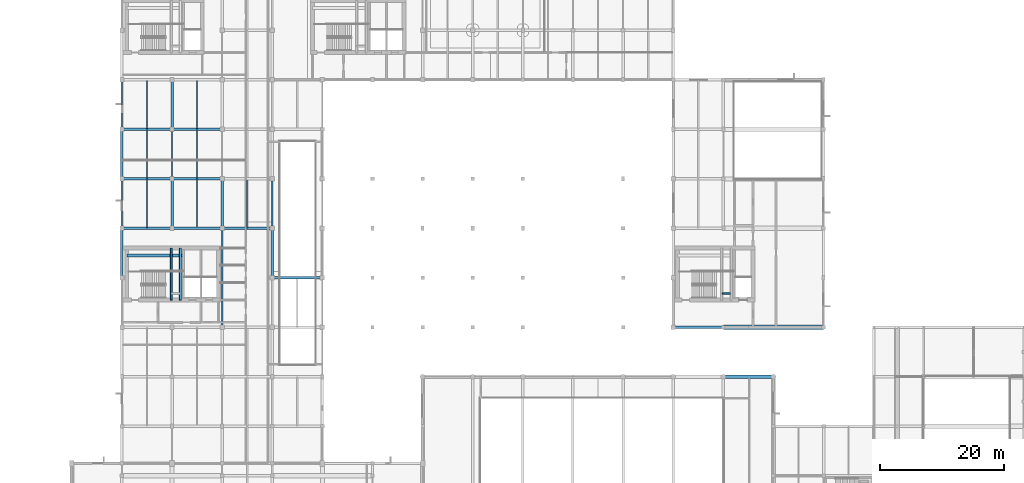
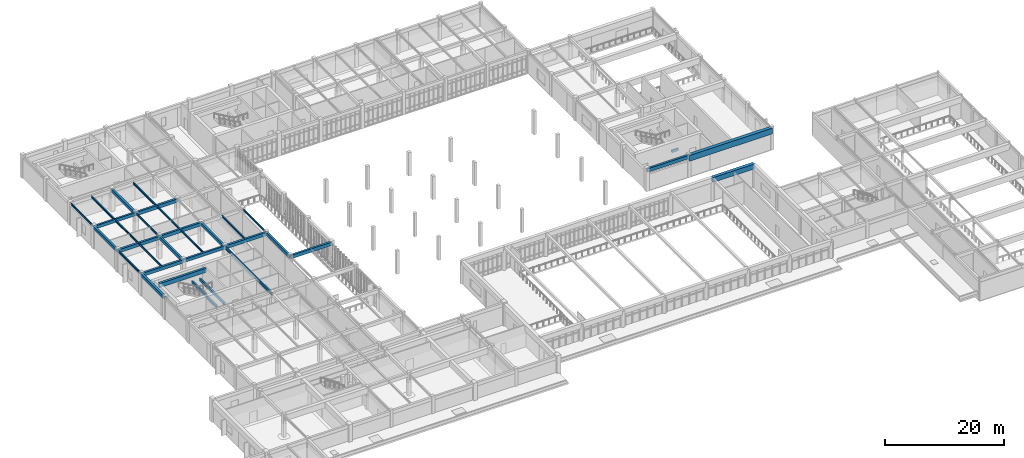
# One storey, part 11 of 61: 33 beams.
"""IFC4 building model written with IfcOpenShell, lengths in metres."""

import ifcopenshell
import ifcopenshell.guid

model = None  # the IFC model being written
_history = None  # IfcOwnerHistory: only IFC2X3 demands one
_inside = {}  # id of a spatial element -> (the spatial element, [elements in it])
_under = {}  # id of a project, library or spatial element -> (it, [spatial elements below it])
_declared = {}  # id of a project -> (the project, [libraries it declares])
_typed = {}  # id of a type object -> (the type object, [elements of that type])
_made_of = {}  # id of a material, layer set ... -> (it, [elements and type objects made of it])


def new_model(schema):
    """Start an empty IFC model of exactly this schema.

    Asked for "IFC4X3", IfcOpenShell would pick the latest addendum, in which some entities
    have other attributes; the version numbers below select the first issue.
    IFC2X3 requires an IfcOwnerHistory on every rooted entity: one is made here for all.
    """
    global model, _history
    if schema == "IFC4X3":
        model = ifcopenshell.file(schema_version=(4, 3, 0, 0))
    else:
        model = ifcopenshell.file(schema=schema)
    _inside.clear()
    _under.clear()
    _declared.clear()
    _typed.clear()
    _made_of.clear()
    _history = None
    if model.schema == "IFC2X3":
        org = make("IfcOrganization", Name="unknown")
        user = make(
            "IfcPersonAndOrganization",
            ThePerson=make("IfcPerson", FamilyName="unknown"),
            TheOrganization=org,
        )
        app = make(
            "IfcApplication",
            ApplicationDeveloper=org,
            Version="unknown",
            ApplicationFullName="unknown",
            ApplicationIdentifier="unknown",
        )
        _history = make(
            "IfcOwnerHistory",
            OwningUser=user,
            OwningApplication=app,
            ChangeAction="ADDED",
            CreationDate=0,
        )
    return model


def make(cls, **values):
    """One entity of the class cls with the attributes given. An attribute that is None is left unset."""
    return model.create_entity(
        cls, **{name: value for name, value in values.items() if value is not None}
    )


def rooted(cls, **values):
    """An entity with a GlobalId (a new one), such as an element, a storey or a relation."""
    return make(cls, GlobalId=ifcopenshell.guid.new(), OwnerHistory=_history, **values)


def si_unit(unit_type, name, prefix=None):
    """IfcSIUnit, for example si_unit("LENGTHUNIT", "METRE", prefix="MILLI")."""
    return make("IfcSIUnit", UnitType=unit_type, Prefix=prefix, Name=name)


def assignment(units):
    """IfcUnitAssignment: the units of a project."""
    return None if units is None else make("IfcUnitAssignment", Units=units)


def point(xyz):
    """IfcCartesianPoint."""
    return None if xyz is None else make("IfcCartesianPoint", Coordinates=xyz)


def direction(xyz):
    """IfcDirection."""
    return None if xyz is None else make("IfcDirection", DirectionRatios=xyz)


def frame(location, z_axis=None, x_axis=None):
    """IfcAxis2Placement3D, a coordinate frame: its origin and axes. An axis left out is left unset."""
    return make(
        "IfcAxis2Placement3D",
        Location=point(location),
        Axis=direction(z_axis),
        RefDirection=direction(x_axis),
    )


def frame_2d(location, x_axis=None):
    """IfcAxis2Placement2D, a coordinate frame in the plane: its origin and x axis."""
    return make(
        "IfcAxis2Placement2D", Location=point(location), RefDirection=direction(x_axis)
    )


def origin():
    """The frame at (0, 0, 0) with its axes left unset."""
    return frame((0.0, 0.0, 0.0))


def origin_2d():
    """The frame at (0, 0) in the plane with its x axis left unset."""
    return frame_2d((0.0, 0.0))


def place(relative_to, where):
    """IfcLocalPlacement: puts the frame where relative to a parent placement (None: the world)."""
    return make(
        "IfcLocalPlacement", PlacementRelTo=relative_to, RelativePlacement=where
    )


def context(
    kind, dimensions, precision=None, world=None, true_north=None, identifier=None
):
    """IfcGeometricRepresentationContext, for example the 3D "Model" context."""
    return make(
        "IfcGeometricRepresentationContext",
        ContextIdentifier=identifier,
        ContextType=kind,
        CoordinateSpaceDimension=dimensions,
        Precision=precision,
        WorldCoordinateSystem=world,
        TrueNorth=true_north,
    )


def subcontext(parent, identifier, kind, view, scale=None):
    """IfcGeometricRepresentationSubContext, for example "Body" below "Model"."""
    return make(
        "IfcGeometricRepresentationSubContext",
        ContextIdentifier=identifier,
        ContextType=kind,
        ParentContext=parent,
        TargetScale=scale,
        TargetView=view,
    )


def project(units=None, contexts=None):
    """IfcProject with its units and contexts."""
    return rooted(
        "IfcProject",
        Name="project",
        RepresentationContexts=contexts,
        UnitsInContext=assignment(units),
    )


def spatial(cls, under=None, at=None, **own):
    """A site, building, storey or space (cls), placed at a placement, below another one or the project."""
    s = rooted(cls, ObjectPlacement=at, **own)
    if under is not None:
        _under.setdefault(under.id(), (under, []))[1].append(s)
    return s


def profile(cls, at=None, kind="AREA", **sizes):
    """A parametric profile (cls). Its sizes go by their IFC names, for example OverallWidth=200.0."""
    return make(cls, ProfileType=kind, Position=at, **sizes)


def rectangle(**sizes):
    """IfcRectangleProfileDef."""
    return profile("IfcRectangleProfileDef", **sizes)


def i_section(**sizes):
    """IfcIShapeProfileDef."""
    return profile("IfcIShapeProfileDef", **sizes)


def extrude(swept, where, along, depth):
    """IfcExtrudedAreaSolid: the profile swept, set in the frame where, extruded along a direction by depth."""
    return make(
        "IfcExtrudedAreaSolid",
        SweptArea=swept,
        Position=where,
        ExtrudedDirection=direction(along),
        Depth=depth,
    )


def shape(context_of_items, identifier, shape_type, items):
    """IfcShapeRepresentation: the items that make up one representation, for example the "Body"."""
    return make(
        "IfcShapeRepresentation",
        ContextOfItems=context_of_items,
        RepresentationIdentifier=identifier,
        RepresentationType=shape_type,
        Items=items,
    )


def material(Name=None, Category=None):
    """IfcMaterial."""
    return make("IfcMaterial", Name=Name, Category=Category)


def material_profile(
    of_material, cross_section, Name=None, Category=None, Priority=None
):
    """IfcMaterialProfile: a cross section and its material."""
    return make(
        "IfcMaterialProfile",
        Name=Name,
        Material=of_material,
        Profile=cross_section,
        Priority=Priority,
        Category=Category,
    )


def profile_set(profiles, Name=None, composite=None):
    """IfcMaterialProfileSet."""
    return make(
        "IfcMaterialProfileSet",
        Name=Name,
        MaterialProfiles=profiles,
        CompositeProfile=composite,
    )


def made_of(thing, what):
    """Note that an element or type object is made of a material, layer set ...; save() writes the relation."""
    if what is not None:
        _made_of.setdefault(what.id(), (what, []))[1].append(thing)
    return thing


def type_object(cls, material=None, **own):
    """A type object (cls), such as IfcWallType, which elements share."""
    return made_of(rooted(cls, **own), material)


def element(
    cls,
    number,
    at=None,
    inside=None,
    cuts=None,
    type_object=None,
    material=None,
    context=None,
    identifier="Body",
    shape_type=None,
    held_by="IfcProductDefinitionShape",
    body=None,
    shapes=None,
    **own,
):
    """One element of the class cls, such as IfcWall. Its Tag is "e" and its number.

    at: its placement. inside: the storey or other place that contains it. cuts: it is an
    opening in that element (IfcRelVoidsElement). A single representation is given by context,
    identifier, shape_type and body (its items); several are given by shapes. held_by: the class
    of the entity that holds the representations. save() writes the other relations.
    """
    e = rooted(cls, Tag="e%d" % number, ObjectPlacement=at, **own)
    if body is not None:
        shapes = [shape(context, identifier, shape_type, body)]
    if shapes is not None:
        e.Representation = make(held_by, Representations=shapes)
    if inside is not None:
        _inside.setdefault(inside.id(), (inside, []))[1].append(e)
    if cuts is not None:
        rooted(
            "IfcRelVoidsElement", RelatingBuildingElement=cuts, RelatedOpeningElement=e
        )
    if type_object is not None:
        _typed.setdefault(type_object.id(), (type_object, []))[1].append(e)
    return made_of(e, material)


def aggregate(whole, parts):
    """IfcRelAggregates: a whole, such as a stair, and the parts it consists of."""
    return rooted("IfcRelAggregates", RelatingObject=whole, RelatedObjects=parts)


def save(model, path):
    """Write the relations noted so far, then the file.

    IfcRelAggregates (storeys below a building ...), IfcRelContainedInSpatialStructure (elements
    in a storey), IfcRelDefinesByType, IfcRelAssociatesMaterial and IfcRelDeclares: one each for
    every whole, place, type object, material and project.
    """
    for whole, parts in _under.values():
        aggregate(whole, parts)
    for where, things in _inside.values():
        rooted(
            "IfcRelContainedInSpatialStructure",
            RelatedElements=things,
            RelatingStructure=where,
        )
    for kind, things in _typed.values():
        rooted("IfcRelDefinesByType", RelatedObjects=things, RelatingType=kind)
    for what, things in _made_of.values():
        rooted("IfcRelAssociatesMaterial", RelatedObjects=things, RelatingMaterial=what)
    for by, libraries in _declared.values():
        rooted("IfcRelDeclares", RelatingContext=by, RelatedDefinitions=libraries)
    model.write(path)


model = new_model("IFC4")

# Units and contexts
model_context = context("Model", 3, precision=1e-05, world=origin(), true_north=direction((0.0, 1.0)))
body_context = subcontext(model_context, "Body", "Model", "MODEL_VIEW")
ifc_project = project(units=[si_unit("LENGTHUNIT", "METRE"), si_unit("AREAUNIT", "SQUARE_METRE"), si_unit("VOLUMEUNIT", "CUBIC_METRE"), si_unit("PLANEANGLEUNIT", "RADIAN"), si_unit("MASSUNIT", "GRAM", prefix="KILO")], contexts=[model_context])

# Site, building, storey
site_placement = place(None, origin())
site = spatial("IfcSite", under=ifc_project, at=site_placement, CompositionType="ELEMENT")
building_placement = place(site_placement, origin())
building = spatial("IfcBuilding", under=site, at=building_placement, Name="Tarnveldt Square Police Headquarters", CompositionType="ELEMENT")
storey_placement = place(building_placement, frame((0.0, 0.0, 5.39990234375)))
storey = spatial("IfcBuildingStorey", under=building, at=storey_placement, Name="L01", CompositionType="ELEMENT", Elevation=5.39990234375)

# Beams
ifc_material_1 = material(Name="Concrete 50 MPa", Category="concrete")
ifc_material_profile_1 = material_profile(ifc_material_1, rectangle(XDim=0.449951171875, YDim=0.85009765625, at=origin_2d()), Name="RC-CB450x850")
ifc_profile_set_1 = profile_set([ifc_material_profile_1], Name="Concrete 50 MPa")
beam_type_1 = type_object("IfcBeamType", Name="BM-CB450x850", PredefinedType="BEAM", material=ifc_profile_set_1)
beam_1_placement = place(storey_placement, frame((17.0, 67.60009765625, 4.375), z_axis=(1.0, 0.0, 0.0), x_axis=(0.0, 1.0, 0.0)))
element("IfcBeam", 1, at=beam_1_placement, inside=storey, type_object=beam_type_1, Name="Core K1 South-West Command and Firefighting Core L01 Ductile Coupling Beam", PredefinedType="BEAM", context=body_context, shape_type="SweptSolid", body=[
    extrude(rectangle(XDim=0.449951171875, YDim=0.85009765625, at=origin_2d()), origin(), (0.0, 0.0, 1.0), 9.14990234375),
])
ifc_material_2 = material(Name="Concrete 40 MPa", Category="concrete")
ifc_material_profile_2 = material_profile(ifc_material_2, rectangle(XDim=0.300048828125, YDim=0.5, at=origin_2d()), Name="RC-B300x500")
ifc_profile_set_2 = profile_set([ifc_material_profile_2], Name="Concrete 40 MPa")
beam_type_2 = type_object("IfcBeamType", Name="BM-RC300x500", PredefinedType="BEAM", material=ifc_profile_set_2)
for number, where, z_axis, x_axis, name in (
    (2, (24.14990234375, 60.39990234375, 1.9501953125), (0.0, 1.0, 0.0), (-1.0, 0.0, 0.0), "ST1 L01 Half-Landing Support Beam 1"),
    (3, (25.64990234375, 60.39990234375, 1.9501953125), (0.0, 1.0, 0.0), (-1.0, 0.0, 0.0), "ST1 L01 Half-Landing Transverse Support Beam"),
):
    element("IfcBeam", number, at=place(storey_placement, frame(where, z_axis=z_axis, x_axis=x_axis)), inside=storey, type_object=beam_type_2, Name=name, PredefinedType="BEAM", context=body_context, shape_type="SweptSolid", body=[
        extrude(rectangle(XDim=0.300048828125, YDim=0.5, at=origin_2d()), origin(), (0.0, 0.0, 1.0), 8.400146484375),
    ])
beam_2_placement = place(storey_placement, frame((113.25, 61.449951171875, 1.9501953125), z_axis=(1.0, 0.0, 0.0), x_axis=(0.0, 1.0, 0.0)))
element("IfcBeam", 4, at=beam_2_placement, inside=storey, type_object=beam_type_2, Name="ST4 L01 Half-Landing Support Beam 2", PredefinedType="BEAM", context=body_context, shape_type="SweptSolid", body=[
    extrude(rectangle(XDim=0.300048828125, YDim=0.5, at=origin_2d()), origin(), (0.0, 0.0, 1.0), 1.300048828125),
])
ifc_material_profile_3 = material_profile(ifc_material_2, rectangle(XDim=0.39990234375, YDim=0.60009765625, at=origin_2d()), Name="RC-B400x600")
ifc_profile_set_3 = profile_set([ifc_material_profile_3], Name="Concrete 40 MPa")
beam_type_3 = type_object("IfcBeamType", Name="BM-RC400x600", PredefinedType="BEAM", material=ifc_profile_set_3)
for number, where, z_axis, x_axis, name in (
    (5, (16.199951171875, 64.0, 4.22021484375), (0.0, 1.0, 0.0), (-1.0, 0.0, 0.0), "L02 Grid Girder Y-0579"),
    (6, (16.199951171875, 80.0, 4.22021484375), (0.0, 1.0, 0.0), (-1.0, 0.0, 0.0), "L02 Grid Girder Y-0581"),
    (7, (24.300048828125, 72.0, 4.22021484375), (0.0, 1.0, 0.0), (-1.0, 0.0, 0.0), "L02 Grid Girder Y-0589"),
    (8, (24.300048828125, 88.0, 4.22021484375), (0.0, 1.0, 0.0), (-1.0, 0.0, 0.0), "L02 Grid Girder Y-0591"),
    (9, (32.39990234375, 72.0, 4.22021484375), (0.0, 1.0, 0.0), (-1.0, 0.0, 0.0), "L02 Grid Girder Y-0599"),
    (10, (40.5, 64.0, 4.22021484375), (0.0, 1.0, 0.0), (-1.0, 0.0, 0.0), "L02 Grid Girder Y-0611"),
):
    element("IfcBeam", number, at=place(storey_placement, frame(where, z_axis=z_axis, x_axis=x_axis)), inside=storey, type_object=beam_type_3, Name=name, PredefinedType="BEAM", context=body_context, shape_type="SweptSolid", body=[
        extrude(rectangle(XDim=0.39990234375, YDim=0.60009765625, at=origin_2d()), origin(), (0.0, 0.0, 1.0), 8.0),
    ])
ifc_material_profile_4 = material_profile(ifc_material_2, rectangle(XDim=0.39990234375, YDim=0.699951171875, at=origin_2d()), Name="RC-B400x700")
ifc_profile_set_4 = profile_set([ifc_material_profile_4], Name="Concrete 40 MPa")
beam_type_4 = type_object("IfcBeamType", Name="BM-RC400x700", PredefinedType="BEAM", material=ifc_profile_set_4)
beam_3_placement = place(storey_placement, frame((105.300048828125, 56.0, 4.170166015625), z_axis=(1.0, 0.0, 0.0), x_axis=(0.0, 1.0, 0.0)))
element("IfcBeam", 11, at=beam_3_placement, inside=storey, type_object=beam_type_4, Name="L02 Grid Girder X-0513", PredefinedType="BEAM", context=body_context, shape_type="SweptSolid", body=[
    extrude(rectangle(XDim=0.39990234375, YDim=0.699951171875, at=origin_2d()), origin(), (0.0, 0.0, 1.0), 8.099853515625),
])
for number, where, z_axis, x_axis, name in (
    (12, (40.5, 64.0, 4.170166015625), (1.0, 0.0, 0.0), (0.0, 1.0, 0.0), "L02 Grid Girder X-0518"),
    (13, (16.199951171875, 72.0, 4.170166015625), (1.0, 0.0, 0.0), (0.0, 1.0, 0.0), "L02 Grid Girder X-0519"),
    (14, (32.39990234375, 72.0, 4.170166015625), (1.0, 0.0, 0.0), (0.0, 1.0, 0.0), "L02 Grid Girder X-0521"),
    (15, (16.199951171875, 80.0, 4.170166015625), (1.0, 0.0, 0.0), (0.0, 1.0, 0.0), "L02 Grid Girder X-0524"),
):
    element("IfcBeam", number, at=place(storey_placement, frame(where, z_axis=z_axis, x_axis=x_axis)), inside=storey, type_object=beam_type_4, Name=name, PredefinedType="BEAM", context=body_context, shape_type="SweptSolid", body=[
        extrude(rectangle(XDim=0.39990234375, YDim=0.699951171875, at=origin_2d()), origin(), (0.0, 0.0, 1.0), 8.10009765625),
    ])
for number, where, z_axis, x_axis, name in (
    (16, (24.300048828125, 80.0, 4.170166015625), (1.0, 0.0, 0.0), (0.0, 1.0, 0.0), "L02 Grid Girder X-0525"),
    (17, (24.300048828125, 88.0, 4.170166015625), (1.0, 0.0, 0.0), (0.0, 1.0, 0.0), "L02 Grid Girder X-0530"),
):
    element("IfcBeam", number, at=place(storey_placement, frame(where, z_axis=z_axis, x_axis=x_axis)), inside=storey, type_object=beam_type_4, Name=name, PredefinedType="BEAM", context=body_context, shape_type="SweptSolid", body=[
        extrude(rectangle(XDim=0.39990234375, YDim=0.699951171875, at=origin_2d()), origin(), (0.0, 0.0, 1.0), 8.099853515625),
    ])
ifc_material_profile_5 = material_profile(ifc_material_1, rectangle(XDim=0.60009765625, YDim=1.0, at=origin_2d()), Name="RC-B600x1000")
ifc_profile_set_5 = profile_set([ifc_material_profile_5], Name="Concrete 50 MPa")
beam_type_5 = type_object("IfcBeamType", Name="BM-RC600x1000", PredefinedType="BEAM", material=ifc_profile_set_5)
beam_4_placement = place(storey_placement, frame((113.39990234375, 48.0, 4.300048828125), z_axis=(1.0, 0.0, 0.0), x_axis=(0.0, 1.0, 0.0)))
element("IfcBeam", 18, at=beam_4_placement, inside=storey, type_object=beam_type_5, Name="Public Entrance Hall Springing Edge Ring Beam N7", PredefinedType="BEAM", context=body_context, shape_type="SweptSolid", body=[
    extrude(rectangle(XDim=0.60009765625, YDim=1.0, at=origin_2d()), origin(), (0.0, 0.0, 1.0), 8.10009765625),
])
ifc_material_profile_6 = material_profile(ifc_material_1, rectangle(XDim=0.64990234375, YDim=1.199951171875, at=origin_2d()), Name="RC-B650x1200")
ifc_profile_set_6 = profile_set([ifc_material_profile_6], Name="Concrete 50 MPa")
beam_type_6 = type_object("IfcBeamType", Name="BM-RC650x1200", PredefinedType="BEAM", material=ifc_profile_set_6)
beam_5_placement = place(storey_placement, frame((113.39990234375, 56.0, 3.920166015625), z_axis=(1.0, 0.0, 0.0), x_axis=(0.0, 1.0, 0.0)))
element("IfcBeam", 19, at=beam_5_placement, inside=storey, type_object=beam_type_6, Name="L02 Grid Girder X-0514", PredefinedType="BEAM", context=body_context, shape_type="SweptSolid", body=[
    extrude(rectangle(XDim=0.64990234375, YDim=1.199951171875, at=origin_2d()), origin(), (0.0, 0.0, 1.0), 16.2001953125),
])
ifc_material_profile_7 = material_profile(ifc_material_2, rectangle(XDim=0.35009765625, YDim=0.64990234375, at=origin_2d()), Name="RC-SP350x650")
ifc_profile_set_7 = profile_set([ifc_material_profile_7], Name="Concrete 40 MPa")
beam_type_7 = type_object("IfcBeamType", Name="BM-SP350x650", PredefinedType="SPANDREL", material=ifc_profile_set_7)
beam_6_placement = place(storey_placement, frame((24.300048828125, 72.0, 4.195068359375), z_axis=(1.0, 0.0, 0.0), x_axis=(0.0, 1.0, 0.0)))
element("IfcBeam", 20, at=beam_6_placement, inside=storey, type_object=beam_type_7, Name="L02 Grid Girder X-0520", PredefinedType="SPANDREL", context=body_context, shape_type="SweptSolid", body=[
    extrude(rectangle(XDim=0.35009765625, YDim=0.64990234375, at=origin_2d()), origin(), (0.0, 0.0, 1.0), 8.099853515625),
])
beam_7_placement = place(storey_placement, frame((16.199951171875, 88.0, 4.195068359375), z_axis=(1.0, 0.0, 0.0), x_axis=(0.0, 1.0, 0.0)))
element("IfcBeam", 21, at=beam_7_placement, inside=storey, type_object=beam_type_7, Name="L02 Grid Girder X-0529", PredefinedType="SPANDREL", context=body_context, shape_type="SweptSolid", body=[
    extrude(rectangle(XDim=0.35009765625, YDim=0.64990234375, at=origin_2d()), origin(), (0.0, 0.0, 1.0), 8.10009765625),
])
ifc_material_3 = material(Name="Steel 350W", Category="steel")
ifc_material_profile_8 = material_profile(ifc_material_3, i_section(OverallWidth=0.202880859375, OverallDepth=0.346923828125, WebThickness=0.0078125, FlangeThickness=0.013427734375, FilletRadius=0.01611328125, at=origin_2d()), Name="W360x64")
ifc_profile_set_8 = profile_set([ifc_material_profile_8], Name="Steel 350W")
beam_type_8 = type_object("IfcBeamType", Name="BM-W360x64", PredefinedType="JOIST", material=ifc_profile_set_8)
beam_8_placement = place(storey_placement, frame((36.449951171875, 72.080078125, 4.3466796875), z_axis=(0.0, 1.0, 0.0), x_axis=(-1.0, 0.0, 0.0)))
element("IfcBeam", 22, at=beam_8_placement, inside=storey, type_object=beam_type_8, Name="L02 Secondary Floor Joist 0123", PredefinedType="JOIST", context=body_context, shape_type="SweptSolid", body=[
    extrude(i_section(OverallWidth=0.202880859375, OverallDepth=0.346923828125, WebThickness=0.0078125, FlangeThickness=0.013427734375, FilletRadius=0.01611328125, at=origin_2d()), origin(), (0.0, 0.0, 1.0), 7.83984375),
])
ifc_material_profile_9 = material_profile(ifc_material_3, i_section(OverallWidth=0.205078125, OverallDepth=0.35400390625, WebThickness=0.009521484375, FlangeThickness=0.016845703125, FilletRadius=0.01611328125, at=origin_2d()), Name="W360x79")
ifc_profile_set_9 = profile_set([ifc_material_profile_9], Name="Steel 350W")
beam_type_9 = type_object("IfcBeamType", Name="BM-W360x79", PredefinedType="JOIST", material=ifc_profile_set_9)
for number, where, z_axis, x_axis, name in (
    (23, (28.35009765625, 72.080078125, 4.343017578125), (0.0, 1.0, 0.0), (-1.0, 0.0, 0.0), "L02 Secondary Floor Joist 0122"),
    (24, (28.35009765625, 80.080078125, 4.343017578125), (0.0, 1.0, 0.0), (-1.0, 0.0, 0.0), "L02 Secondary Floor Joist 0126"),
    (25, (28.35009765625, 88.080078125, 4.343017578125), (0.0, 1.0, 0.0), (-1.0, 0.0, 0.0), "L02 Secondary Floor Joist 0130"),
):
    element("IfcBeam", number, at=place(storey_placement, frame(where, z_axis=z_axis, x_axis=x_axis)), inside=storey, type_object=beam_type_9, Name=name, PredefinedType="JOIST", context=body_context, shape_type="SweptSolid", body=[
        extrude(i_section(OverallWidth=0.205078125, OverallDepth=0.35400390625, WebThickness=0.009521484375, FlangeThickness=0.016845703125, FilletRadius=0.01611328125, at=origin_2d()), origin(), (0.0, 0.0, 1.0), 7.83984375),
    ])
ifc_material_profile_10 = material_profile(ifc_material_3, i_section(OverallWidth=0.177978515625, OverallDepth=0.406982421875, WebThickness=0.0078125, FlangeThickness=0.0126953125, FilletRadius=0.01611328125, at=origin_2d()), Name="W410x60")
ifc_profile_set_10 = profile_set([ifc_material_profile_10], Name="Steel 350W")
beam_type_10 = type_object("IfcBeamType", Name="BM-W410x60", PredefinedType="JOIST", material=ifc_profile_set_10)
for number, where, z_axis, x_axis, name in (
    (26, (20.25, 72.080078125, 4.316650390625), (0.0, 1.0, 0.0), (-1.0, 0.0, 0.0), "L02 Secondary Floor Joist 0121"),
    (27, (20.25, 80.080078125, 4.316650390625), (0.0, 1.0, 0.0), (-1.0, 0.0, 0.0), "L02 Secondary Floor Joist 0125"),
    (28, (20.25, 88.080078125, 4.316650390625), (0.0, 1.0, 0.0), (-1.0, 0.0, 0.0), "L02 Secondary Floor Joist 0129"),
):
    element("IfcBeam", number, at=place(storey_placement, frame(where, z_axis=z_axis, x_axis=x_axis)), inside=storey, type_object=beam_type_10, Name=name, PredefinedType="JOIST", context=body_context, shape_type="SweptSolid", body=[
        extrude(i_section(OverallWidth=0.177978515625, OverallDepth=0.406982421875, WebThickness=0.0078125, FlangeThickness=0.0126953125, FilletRadius=0.01611328125, at=origin_2d()), origin(), (0.0, 0.0, 1.0), 7.83984375),
    ])
ifc_material_profile_11 = material_profile(ifc_material_3, i_section(OverallWidth=0.180908203125, OverallDepth=0.4169921875, WebThickness=0.010986328125, FlangeThickness=0.018310546875, FilletRadius=0.01611328125, at=origin_2d()), Name="W410x85")
ifc_profile_set_11 = profile_set([ifc_material_profile_11], Name="Steel 350W")
beam_type_11 = type_object("IfcBeamType", Name="BM-W410x85", PredefinedType="BEAM", material=ifc_profile_set_11)
for number, where, z_axis, x_axis, name in (
    (29, (16.199951171875, 72.0, 4.3115234375), (0.0, 1.0, 0.0), (-1.0, 0.0, 0.0), "L02 Grid Girder Y-0580"),
    (30, (16.199951171875, 88.0, 4.3115234375), (0.0, 1.0, 0.0), (-1.0, 0.0, 0.0), "L02 Grid Girder Y-0582"),
    (31, (24.300048828125, 80.0, 4.3115234375), (0.0, 1.0, 0.0), (-1.0, 0.0, 0.0), "L02 Grid Girder Y-0590"),
    (32, (40.5, 72.0, 4.3115234375), (0.0, 1.0, 0.0), (-1.0, 0.0, 0.0), "L02 Grid Girder Y-0612"),
):
    element("IfcBeam", number, at=place(storey_placement, frame(where, z_axis=z_axis, x_axis=x_axis)), inside=storey, type_object=beam_type_11, Name=name, PredefinedType="BEAM", context=body_context, shape_type="SweptSolid", body=[
        extrude(i_section(OverallWidth=0.180908203125, OverallDepth=0.4169921875, WebThickness=0.010986328125, FlangeThickness=0.018310546875, FilletRadius=0.01611328125, at=origin_2d()), origin(), (0.0, 0.0, 1.0), 8.0),
    ])
ifc_material_profile_12 = material_profile(ifc_material_3, i_section(OverallWidth=0.22900390625, OverallDepth=0.612060546875, WebThickness=0.011962890625, FlangeThickness=0.01953125, FilletRadius=0.01904296875, at=origin_2d()), Name="W610x125")
ifc_profile_set_12 = profile_set([ifc_material_profile_12], Name="Steel 350W")
beam_type_12 = type_object("IfcBeamType", Name="BM-W610x125", PredefinedType="BEAM", material=ifc_profile_set_12)
beam_9_placement = place(storey_placement, frame((32.39990234375, 56.0, 4.214111328125), z_axis=(0.0, 1.0, 0.0), x_axis=(-1.0, 0.0, 0.0)))
element("IfcBeam", 33, at=beam_9_placement, inside=storey, type_object=beam_type_12, Name="L02 Grid Girder Y-0598", PredefinedType="BEAM", context=body_context, shape_type="SweptSolid", body=[
    extrude(i_section(OverallWidth=0.22900390625, OverallDepth=0.612060546875, WebThickness=0.011962890625, FlangeThickness=0.01953125, FilletRadius=0.01904296875, at=origin_2d()), origin(), (0.0, 0.0, 1.0), 16.0),
])

save(model, "model.ifc")
